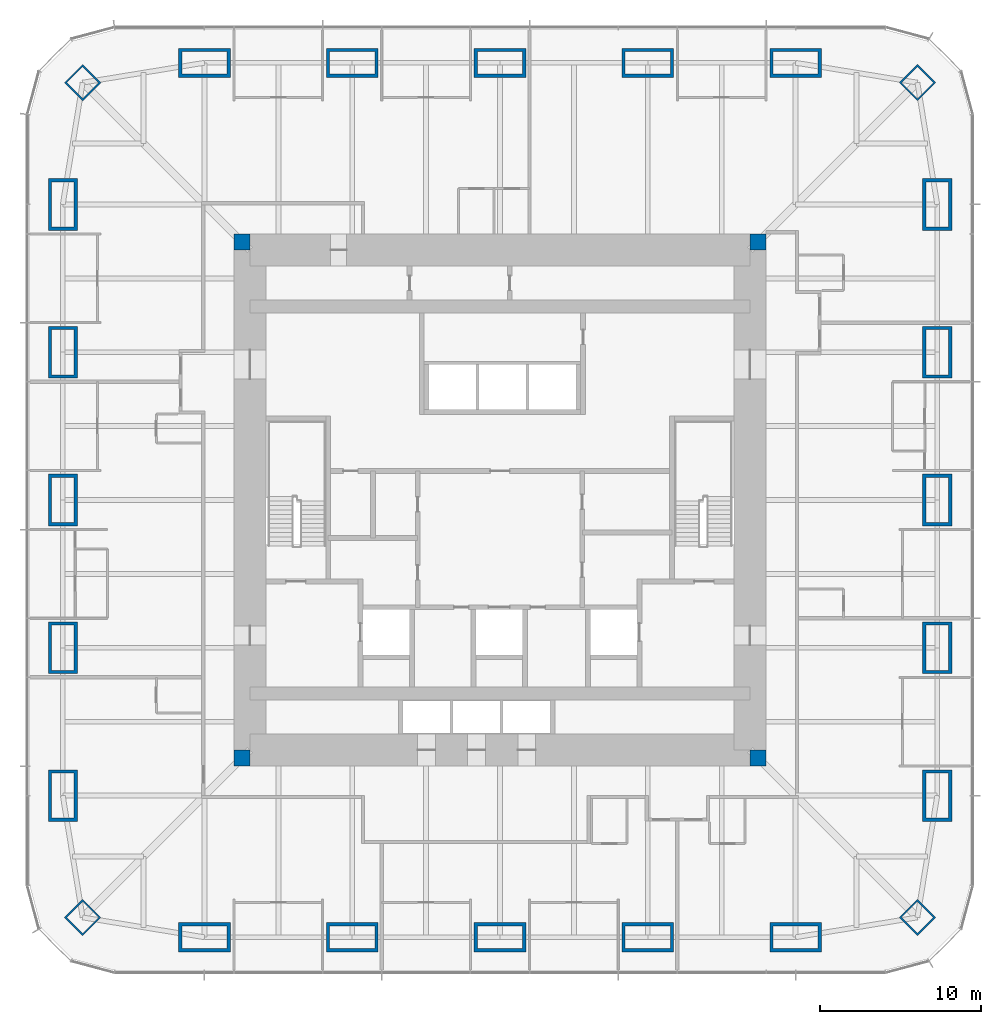
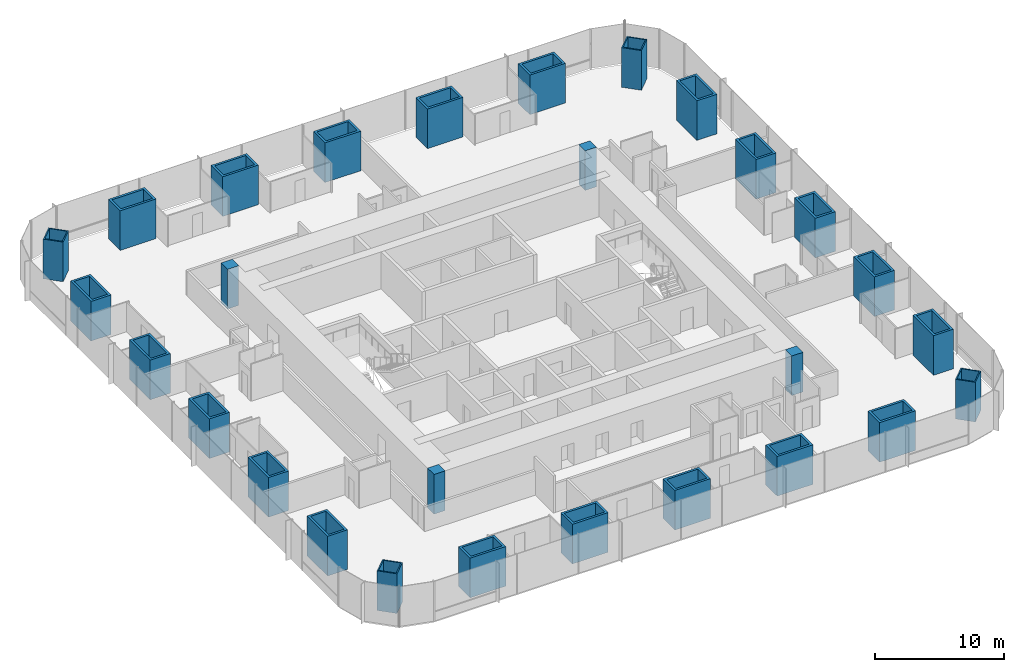
# One storey, part 1 of 13: 28 columns.
"""IFC4 building model written with IfcOpenShell, lengths in metres."""

from ifc_helpers import new_model, si_unit, direction, frame, origin, origin_2d, place, context, subcontext, project, spatial, rectangle, hollow_rectangle, extrude, material, material_profile, profile_set, type_object, element, save


model = new_model("IFC4")

# Units and contexts
model_context = context("Model", 3, precision=1e-05, world=origin(), true_north=direction((0.0, 1.0)))
body_context = subcontext(model_context, "Body", "Model", "MODEL_VIEW")
ifc_project = project(units=[si_unit("LENGTHUNIT", "METRE"), si_unit("AREAUNIT", "SQUARE_METRE"), si_unit("VOLUMEUNIT", "CUBIC_METRE"), si_unit("PLANEANGLEUNIT", "RADIAN"), si_unit("MASSUNIT", "GRAM", prefix="KILO")], contexts=[model_context])

# Site, building, storey
site_placement = place(None, origin())
site = spatial("IfcSite", under=ifc_project, at=site_placement, CompositionType="ELEMENT")
building_placement = place(site_placement, origin())
building = spatial("IfcBuilding", under=site, at=building_placement, Name="Khuree Lantern Residences", CompositionType="ELEMENT")
storey_placement = place(building_placement, frame((0.0, 0.0, 118.5)))
storey = spatial("IfcBuildingStorey", under=building, at=storey_placement, Name="L29", CompositionType="ELEMENT", Elevation=118.5)

# Columns
ifc_material_1 = material(Name="Steel S355 CFT welded box", Category="steel")
ifc_material_profile_1 = material_profile(ifc_material_1, hollow_rectangle(XDim=1.60009765625, YDim=1.60009765625, WallThickness=0.10009765625, at=origin_2d()), Name="WELDED BOX 1600X1600X100")
ifc_profile_set_1 = profile_set([ifc_material_profile_1], Name="Steel S355 CFT welded box")
column_type_1 = type_object("IfcColumnType", Name="CC1600 PERIMETER CORNER MEGA COLUMN WELDED BOX 1600X1600X100", PredefinedType="COLUMN", material=ifc_profile_set_1)
for number, where, z_axis, x_axis, name in (
    (1, (25.869873046875, 25.869873046875, 0.0), (0.0, 0.0, 1.0), (0.707106781187, -0.707106781187, 0.0), "Perimeter column NE"),
    (2, (25.869873046875, -25.869873046875, 0.0), (0.0, 0.0, 1.0), (0.707106781187, 0.707106781187, 0.0), "Perimeter column SE"),
    (3, (-25.869873046875, -25.869873046875, 0.0), (0.0, 0.0, 1.0), (0.707106781187, -0.707106781187, 0.0), "Perimeter column SW"),
    (4, (-25.869873046875, 25.869873046875, 0.0), (0.0, 0.0, 1.0), (0.707106781187, 0.707106781187, 0.0), "Perimeter column NW"),
):
    element("IfcColumn", number, at=place(storey_placement, frame(where, z_axis=z_axis, x_axis=x_axis)), inside=storey, type_object=column_type_1, Name=name, PredefinedType="COLUMN", context=body_context, shape_type="SweptSolid", body=[
        extrude(hollow_rectangle(XDim=1.60009765625, YDim=1.60009765625, WallThickness=0.10009765625, at=origin_2d()), origin(), (0.0, 0.0, 1.0), 3.75),
    ])
ifc_material_2 = material(Name="Concrete C70/85", Category="concrete")
ifc_material_profile_2 = material_profile(ifc_material_2, rectangle(XDim=1.0, YDim=1.0, at=origin_2d()), Name="RC 1000X1000")
ifc_profile_set_2 = profile_set([ifc_material_profile_2], Name="Concrete C70/85")
column_type_2 = type_object("IfcColumnType", Name="CP1000-C70 CORE CORNER PIER C70 RC 1000X1000", PredefinedType="COLUMN", material=ifc_profile_set_2)
for number, where, z_axis, x_axis, name in (
    (5, (16.0, 16.0, -0.25), (0.0, 0.0, 1.0), (1.0, 0.0, 0.0), "Core corner pier NE"),
    (6, (-16.0, 16.0, -0.25), (0.0, 0.0, 1.0), (1.0, 0.0, 0.0), "Core corner pier NW"),
    (7, (-16.0, -16.0, -0.25), (0.0, 0.0, 1.0), (1.0, 0.0, 0.0), "Core corner pier SW"),
    (8, (16.0, -16.0, -0.25), (0.0, 0.0, 1.0), (1.0, 0.0, 0.0), "Core corner pier SE"),
):
    element("IfcColumn", number, at=place(storey_placement, frame(where, z_axis=z_axis, x_axis=x_axis)), inside=storey, type_object=column_type_2, Name=name, PredefinedType="COLUMN", context=body_context, shape_type="SweptSolid", body=[
        extrude(rectangle(XDim=1.0, YDim=1.0, at=origin_2d()), origin(), (0.0, 0.0, 1.0), 3.75),
    ])
ifc_material_profile_3 = material_profile(ifc_material_1, hollow_rectangle(XDim=3.199951171875, YDim=1.800048828125, WallThickness=0.199951171875, at=origin_2d()), Name="WELDED BOX 3200X1800X200")
ifc_profile_set_3 = profile_set([ifc_material_profile_3], Name="Steel S355 CFT welded box")
column_type_3 = type_object("IfcColumnType", Name="SC1 PERIMETER MEGA COLUMN WELDED BOX 3200X1800X200", PredefinedType="COLUMN", material=ifc_profile_set_3)
for number, where, z_axis, x_axis, name in (
    (9, (-18.320068359375, 27.10009765625, 0.0), (0.0, 0.0, 1.0), (1.0, 0.0, 0.0), "Perimeter column N1"),
    (10, (-9.159912109375, 27.10009765625, 0.0), (0.0, 0.0, 1.0), (1.0, 0.0, 0.0), "Perimeter column N2"),
    (11, (0.0, 27.10009765625, 0.0), (0.0, 0.0, 1.0), (1.0, 0.0, 0.0), "Perimeter column N3"),
    (12, (9.159912109375, 27.10009765625, 0.0), (0.0, 0.0, 1.0), (1.0, 0.0, 0.0), "Perimeter column N4"),
    (13, (18.320068359375, 27.10009765625, 0.0), (0.0, 0.0, 1.0), (1.0, 0.0, 0.0), "Perimeter column N5"),
    (14, (27.10009765625, 18.320068359375, 0.0), (0.0, 0.0, 1.0), (0.0, 1.0, 0.0), "Perimeter column E1"),
    (15, (27.10009765625, 9.159912109375, 0.0), (0.0, 0.0, 1.0), (0.0, 1.0, 0.0), "Perimeter column E2"),
    (16, (27.10009765625, 0.0, 0.0), (0.0, 0.0, 1.0), (0.0, 1.0, 0.0), "Perimeter column E3"),
    (17, (27.10009765625, -9.159912109375, 0.0), (0.0, 0.0, 1.0), (0.0, 1.0, 0.0), "Perimeter column E4"),
    (18, (27.10009765625, -18.320068359375, 0.0), (0.0, 0.0, 1.0), (0.0, 1.0, 0.0), "Perimeter column E5"),
    (19, (18.320068359375, -27.10009765625, 0.0), (0.0, 0.0, 1.0), (1.0, 0.0, 0.0), "Perimeter column S1"),
    (20, (9.159912109375, -27.10009765625, 0.0), (0.0, 0.0, 1.0), (1.0, 0.0, 0.0), "Perimeter column S2"),
    (21, (0.0, -27.10009765625, 0.0), (0.0, 0.0, 1.0), (1.0, 0.0, 0.0), "Perimeter column S3"),
    (22, (-9.159912109375, -27.10009765625, 0.0), (0.0, 0.0, 1.0), (1.0, 0.0, 0.0), "Perimeter column S4"),
    (23, (-18.320068359375, -27.10009765625, 0.0), (0.0, 0.0, 1.0), (1.0, 0.0, 0.0), "Perimeter column S5"),
    (24, (-27.10009765625, -18.320068359375, 0.0), (0.0, 0.0, 1.0), (0.0, 1.0, 0.0), "Perimeter column W1"),
    (25, (-27.10009765625, -9.159912109375, 0.0), (0.0, 0.0, 1.0), (0.0, 1.0, 0.0), "Perimeter column W2"),
    (26, (-27.10009765625, 0.0, 0.0), (0.0, 0.0, 1.0), (0.0, 1.0, 0.0), "Perimeter column W3"),
    (27, (-27.10009765625, 9.159912109375, 0.0), (0.0, 0.0, 1.0), (0.0, 1.0, 0.0), "Perimeter column W4"),
    (28, (-27.10009765625, 18.320068359375, 0.0), (0.0, 0.0, 1.0), (0.0, 1.0, 0.0), "Perimeter column W5"),
):
    element("IfcColumn", number, at=place(storey_placement, frame(where, z_axis=z_axis, x_axis=x_axis)), inside=storey, type_object=column_type_3, Name=name, PredefinedType="COLUMN", context=body_context, shape_type="SweptSolid", body=[
        extrude(hollow_rectangle(XDim=3.199951171875, YDim=1.800048828125, WallThickness=0.199951171875, at=origin_2d()), origin(), (0.0, 0.0, 1.0), 3.75),
    ])

save(model, "model.ifc")
